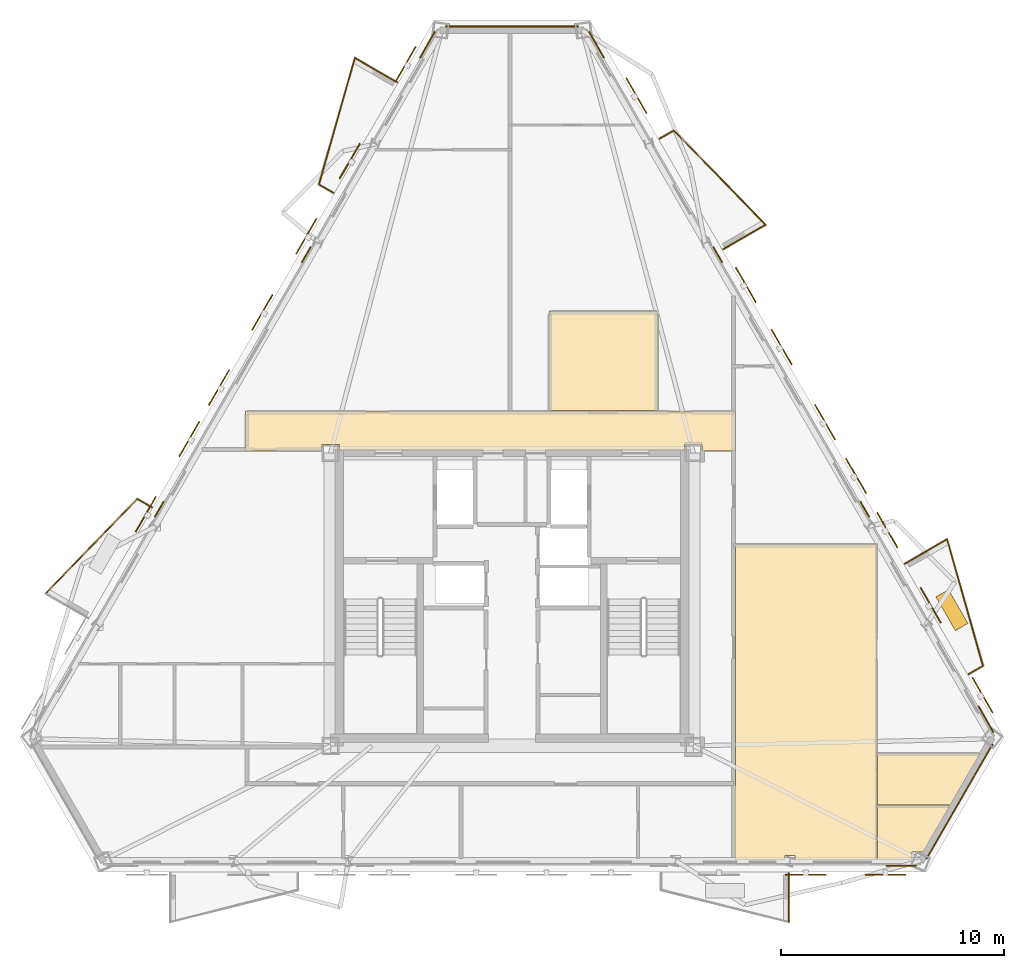
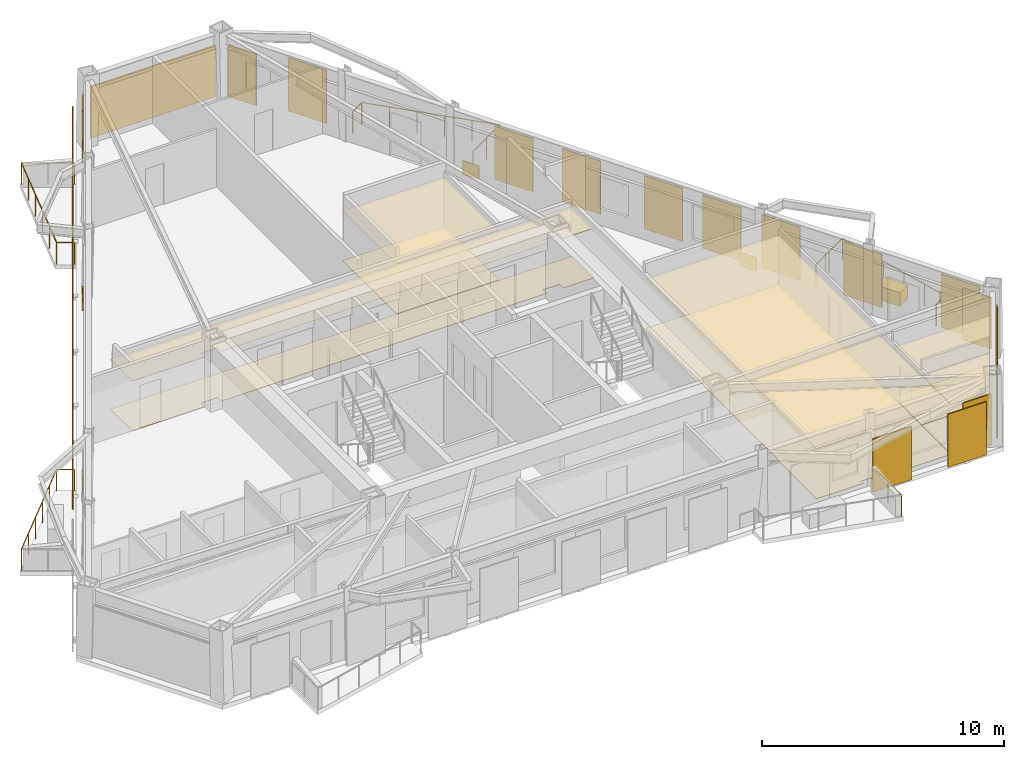
# One storey, part 9 of 9: 21 coverings, 17 shading devices, 12 railings.
"""IFC4 building model written with IfcOpenShell, lengths in metres."""

from ifc_helpers import new_model, si_unit, direction, frame, origin, origin_2d, place, context, subcontext, project, spatial, polyline, rectangle, circle, outline, extrude, material, layer, layer_set, type_object, element, save


model = new_model("IFC4")

# Units and contexts
model_context = context("Model", 3, precision=1e-05, world=origin(), true_north=direction((0.0, 1.0)))
body_context = subcontext(model_context, "Body", "Model", "MODEL_VIEW")
ifc_project = project(units=[si_unit("LENGTHUNIT", "METRE"), si_unit("AREAUNIT", "SQUARE_METRE"), si_unit("VOLUMEUNIT", "CUBIC_METRE"), si_unit("PLANEANGLEUNIT", "RADIAN"), si_unit("MASSUNIT", "GRAM", prefix="KILO")], contexts=[model_context])

# Site, building, storey
site_placement = place(None, origin())
site = spatial("IfcSite", under=ifc_project, at=site_placement, CompositionType="ELEMENT")
building_placement = place(site_placement, origin())
building = spatial("IfcBuilding", under=site, at=building_placement, Name="Oramaril Tower", CompositionType="ELEMENT")
storey_placement = place(building_placement, frame((0.0, 0.0, 223.5)))
storey = spatial("IfcBuildingStorey", under=building, at=storey_placement, Name="L59", CompositionType="ELEMENT", Elevation=223.5)

# Coverings
ifc_material_1 = material(Name="Mineral Fibre Acoustic Ceiling")
ifc_layer_1 = layer(ifc_material_1, 0.02001953125)
ifc_layer_set_1 = layer_set([ifc_layer_1], Name="CVT-CEIL")
covering_type_1 = type_object("IfcCoveringType", Name="CVT-CEIL", PredefinedType="CEILING", material=ifc_layer_set_1)
covering_1_placement = place(storey_placement, frame((0.0, 0.0, 2.511962890625)))
element("IfcCovering", 1, at=covering_1_placement, inside=storey, type_object=covering_type_1, Name="L59 Acoustic Suspended Ceiling 2", PredefinedType="CEILING", context=body_context, shape_type="SweptSolid", body=[
    extrude(outline(polyline([(47.530029296875, 24.239990234375), (46.044921875, 24.239990234375), (46.044921875, 24.544921875), (45.2548828125, 24.544921875), (45.2548828125, 24.25), (29.7451171875, 24.25), (29.7451171875, 24.544921875), (28.955078125, 24.544921875), (28.955078125, 24.239990234375), (25.52001953125, 24.239990234375), (25.52001953125, 26.050048828125), (47.530029296875, 26.050048828125), (47.530029296875, 24.239990234375)])), origin(), (0.0, 0.0, 1.0), 0.02001953125),
])
covering_2_placement = place(storey_placement, frame((0.0, 0.0, 2.511962890625)))
element("IfcCovering", 2, at=covering_2_placement, inside=storey, type_object=covering_type_1, Name="L59 Acoustic Suspended Ceiling 4", PredefinedType="CEILING", context=body_context, shape_type="SweptSolid", body=[
    extrude(outline(polyline([(44.0419921875, 30.511962890625), (44.0419921875, 26.070068359375), (39.157958984375, 26.070068359375), (39.157958984375, 30.511962890625), (44.0419921875, 30.511962890625)])), origin(), (0.0, 0.0, 1.0), 0.02001953125),
])
covering_3_placement = place(storey_placement, frame((0.0, 0.0, 2.511962890625)))
element("IfcCovering", 3, at=covering_3_placement, inside=storey, type_object=covering_type_1, Name="L59 Acoustic Suspended Ceiling 14", PredefinedType="CEILING", context=body_context, shape_type="SweptSolid", body=[
    extrude(outline(polyline([(53.902099609375, 20.0419921875), (53.902099609375, 5.89208984375), (50.211669921875, 5.89208984375), (50.211669921875, 6.06884765625), (49.75439453125, 6.06884765625), (49.75439453125, 5.89208984375), (47.511962890625, 5.89208984375), (47.511962890625, 9.199951171875), (47.530029296875, 9.199951171875), (47.531982421875, 9.2001953125), (47.533935546875, 9.200439453125), (47.535888671875, 9.200927734375), (47.53759765625, 9.201416015625), (47.539306640625, 9.202392578125), (47.541015625, 9.203369140625), (47.542724609375, 9.20458984375), (47.544189453125, 9.205810546875), (47.54541015625, 9.207275390625), (47.546630859375, 9.208984375), (47.547607421875, 9.210693359375), (47.548583984375, 9.21240234375), (47.549072265625, 9.214111328125), (47.549560546875, 9.216064453125), (47.5498046875, 9.218017578125), (47.550048828125, 9.219970703125), (47.550048828125, 11.030029296875), (47.5498046875, 11.031982421875), (47.549560546875, 11.033935546875), (47.549072265625, 11.035888671875), (47.548583984375, 11.03759765625), (47.547607421875, 11.039306640625), (47.54736328125, 11.0400390625), (47.547607421875, 11.04052734375), (47.548583984375, 11.042236328125), (47.549072265625, 11.044189453125), (47.549560546875, 11.046142578125), (47.5498046875, 11.048095703125), (47.550048828125, 11.050048828125), (47.550048828125, 20.0419921875), (53.902099609375, 20.0419921875)])), origin(), (0.0, 0.0, 1.0), 0.02001953125),
])
covering_4_placement = place(storey_placement, frame((0.0, 0.0, 2.511962890625)))
element("IfcCovering", 4, at=covering_4_placement, inside=storey, type_object=covering_type_1, Name="L59 Acoustic Suspended Ceiling 15", PredefinedType="CEILING", context=body_context, shape_type="SweptSolid", body=[
    extrude(outline(polyline([(55.970703125, 6.21923828125), (55.47412109375, 6.21923828125), (55.47412109375, 5.89208984375), (53.922119140625, 5.89208984375), (53.922119140625, 8.31298828125), (57.179443359375, 8.31298828125), (55.970703125, 6.21923828125)])), origin(), (0.0, 0.0, 1.0), 0.02001953125),
])
covering_5_placement = place(storey_placement, frame((0.0, 0.0, 2.511962890625)))
element("IfcCovering", 5, at=covering_5_placement, inside=storey, type_object=covering_type_1, Name="L59 Acoustic Suspended Ceiling 16", PredefinedType="CEILING", context=body_context, shape_type="SweptSolid", body=[
    extrude(outline(polyline([(57.189453125, 8.330322265625), (57.18896484375, 8.330810546875), (57.187255859375, 8.33154296875), (57.185302734375, 8.332275390625), (57.183349609375, 8.332763671875), (57.181396484375, 8.3330078125), (57.179443359375, 8.3330078125), (53.922119140625, 8.3330078125), (53.922119140625, 10.66650390625), (58.5380859375, 10.66650390625), (57.189453125, 8.330322265625)])), origin(), (0.0, 0.0, 1.0), 0.02001953125),
])
ifc_material_2 = material(Name="Warm Cream Limestone", Category="masonry")
ifc_layer_2 = layer(ifc_material_2, 0.050048828125)
ifc_layer_set_2 = layer_set([ifc_layer_2], Name="CVT-CLD")
covering_type_2 = type_object("IfcCoveringType", Name="CVT-CLD", PredefinedType="CLADDING", material=ifc_layer_set_2)
covering_6_placement = place(storey_placement, frame((54.993896484375, 5.615966796875, 0.0400390625), z_axis=(0.0, 0.0, 1.0), x_axis=(1.0, 0.0, 0.0)))
element("IfcCovering", 6, at=covering_6_placement, inside=storey, type_object=covering_type_2, Name="L59 Warm Cream Limestone Cladding", PredefinedType="CLADDING", context=body_context, shape_type="SweptSolid", body=[
    extrude(rectangle(XDim=1.35009765625, YDim=0.050048828125, at=origin_2d()), origin(), (0.0, 0.0, 1.0), 2.596923828125),
])
covering_7_placement = place(storey_placement, frame((57.6025390625, 8.493896484375, 0.0400390625), z_axis=(0.0, 0.0, 1.0), x_axis=(0.5, 0.866025403784, 0.0)))
element("IfcCovering", 7, at=covering_7_placement, inside=storey, type_object=covering_type_2, Name="L59 Warm Cream Limestone Cladding", PredefinedType="CLADDING", context=body_context, shape_type="SweptSolid", body=[
    extrude(rectangle(XDim=5.951904296875, YDim=0.050048828125, at=origin_2d()), origin(), (0.0, 0.0, 1.0), 2.596923828125),
])
for number, where, z_axis, x_axis, name in (
    (8, (58.79052734375, 12.191650390625, 0.0400390625), (0.0, 0.0, 1.0), (-0.5, 0.866025403784, 0.0), "L59 Warm Cream Limestone Cladding"),
    (9, (41.29638671875, 42.4921875, 0.0400390625), (0.0, 0.0, 1.0), (-0.5, 0.866025403784, 0.0), "L59 Warm Cream Limestone Cladding"),
):
    element("IfcCovering", number, at=place(storey_placement, frame(where, z_axis=z_axis, x_axis=x_axis)), inside=storey, type_object=covering_type_2, Name=name, PredefinedType="CLADDING", context=body_context, shape_type="SweptSolid", body=[
        extrude(rectangle(XDim=1.35009765625, YDim=0.050048828125, at=origin_2d()), origin(), (0.0, 0.0, 1.0), 2.596923828125),
    ])
for number, where, z_axis, x_axis, name in (
    (10, (53.345458984375, 21.622802734375, 0.0400390625), (0.0, 0.0, 1.0), (-0.5, 0.866025403784, 0.0), "L59 Warm Cream Limestone Spandrel Cladding"),
    (11, (46.74169921875, 33.06103515625, 0.0400390625), (0.0, 0.0, 1.0), (-0.5, 0.866025403784, 0.0), "L59 Warm Cream Limestone Spandrel Cladding"),
):
    element("IfcCovering", number, at=place(storey_placement, frame(where, z_axis=z_axis, x_axis=x_axis)), inside=storey, type_object=covering_type_2, Name=name, PredefinedType="CLADDING", context=body_context, shape_type="SweptSolid", body=[
        extrude(rectangle(XDim=0.800048828125, YDim=0.050048828125, at=origin_2d()), origin(), (0.0, 0.0, 1.0), 0.679931640625),
    ])
covering_8_placement = place(storey_placement, frame((37.5, 43.3125, 0.0400390625), z_axis=(0.0, 0.0, 1.0), x_axis=(-1.0, 0.0, 0.0)))
element("IfcCovering", 12, at=covering_8_placement, inside=storey, type_object=covering_type_2, Name="L59 Warm Cream Limestone Cladding", PredefinedType="CLADDING", context=body_context, shape_type="SweptSolid", body=[
    extrude(rectangle(XDim=5.951904296875, YDim=0.050048828125, at=origin_2d()), origin(), (0.0, 0.0, 1.0), 2.596923828125),
])
covering_9_placement = place(storey_placement, frame((33.70361328125, 42.4921875, 0.0400390625), z_axis=(0.0, 0.0, 1.0), x_axis=(-0.5, -0.866025403784, 0.0)))
element("IfcCovering", 13, at=covering_9_placement, inside=storey, type_object=covering_type_2, Name="L59 Warm Cream Limestone Cladding", PredefinedType="CLADDING", context=body_context, shape_type="SweptSolid", body=[
    extrude(rectangle(XDim=1.35009765625, YDim=0.050048828125, at=origin_2d()), origin(), (0.0, 0.0, 1.0), 2.596923828125),
])
for number, where, z_axis, x_axis, name in (
    (14, (28.25830078125, 33.06103515625, 0.0400390625), (0.0, 0.0, 1.0), (-0.5, -0.866025403784, 0.0), "L59 Warm Cream Limestone Spandrel Cladding"),
    (15, (21.654541015625, 21.622802734375, 0.0400390625), (0.0, 0.0, 1.0), (-0.5, -0.866025403784, 0.0), "L59 Warm Cream Limestone Spandrel Cladding"),
):
    element("IfcCovering", number, at=place(storey_placement, frame(where, z_axis=z_axis, x_axis=x_axis)), inside=storey, type_object=covering_type_2, Name=name, PredefinedType="CLADDING", context=body_context, shape_type="SweptSolid", body=[
        extrude(rectangle(XDim=0.800048828125, YDim=0.050048828125, at=origin_2d()), origin(), (0.0, 0.0, 1.0), 0.679931640625),
    ])
covering_10_placement = place(storey_placement, frame((57.26318359375, 17.09423828125, 0.0), z_axis=(0.0, 0.0, 1.0), x_axis=(-0.5, 0.866025403784, 0.0)))
element("IfcCovering", 16, at=covering_10_placement, inside=storey, type_object=covering_type_2, Name="L59 Structural Tree Planter Box L59-BAL-NE1", PredefinedType="CLADDING", context=body_context, shape_type="SweptSolid", body=[
    extrude(rectangle(XDim=1.75, YDim=0.64990234375, at=origin_2d()), origin(), (0.0, 0.0, 1.0), 0.699951171875),
])
ifc_material_3 = material(Name="Honed Quartzite Stone Flooring", Category="masonry")
ifc_layer_3 = layer(ifc_material_3, 0.02490234375)
ifc_layer_set_3 = layer_set([ifc_layer_3], Name="CVT-FLR")
covering_type_3 = type_object("IfcCoveringType", Name="CVT-FLR", PredefinedType="FLOORING", material=ifc_layer_set_3)
covering_11_placement = place(storey_placement, origin())
element("IfcCovering", 17, at=covering_11_placement, inside=storey, type_object=covering_type_3, Name="L59 Honed Stone Floor Finish 2", PredefinedType="FLOORING", context=body_context, shape_type="SweptSolid", body=[
    extrude(outline(polyline([(47.530029296875, 24.239990234375), (46.044921875, 24.239990234375), (46.044921875, 24.544921875), (45.2548828125, 24.544921875), (45.2548828125, 24.25), (29.7451171875, 24.25), (29.7451171875, 24.544921875), (28.955078125, 24.544921875), (28.955078125, 24.239990234375), (25.52001953125, 24.239990234375), (25.52001953125, 26.050048828125), (47.530029296875, 26.050048828125), (47.530029296875, 24.239990234375)])), origin(), (0.0, 0.0, 1.0), 0.02490234375),
])
covering_12_placement = place(storey_placement, origin())
element("IfcCovering", 18, at=covering_12_placement, inside=storey, type_object=covering_type_3, Name="L59 Honed Stone Floor Finish 4", PredefinedType="FLOORING", context=body_context, shape_type="SweptSolid", body=[
    extrude(outline(polyline([(44.0419921875, 30.511962890625), (44.0419921875, 26.070068359375), (39.157958984375, 26.070068359375), (39.157958984375, 30.511962890625), (44.0419921875, 30.511962890625)])), origin(), (0.0, 0.0, 1.0), 0.02490234375),
])
covering_13_placement = place(storey_placement, origin())
element("IfcCovering", 19, at=covering_13_placement, inside=storey, type_object=covering_type_3, Name="L59 Honed Stone Floor Finish 14", PredefinedType="FLOORING", context=body_context, shape_type="SweptSolid", body=[
    extrude(outline(polyline([(53.902099609375, 20.0419921875), (53.902099609375, 5.89208984375), (50.211669921875, 5.89208984375), (50.211669921875, 6.06884765625), (49.75439453125, 6.06884765625), (49.75439453125, 5.89208984375), (47.511962890625, 5.89208984375), (47.511962890625, 9.199951171875), (47.530029296875, 9.199951171875), (47.531982421875, 9.2001953125), (47.533935546875, 9.200439453125), (47.535888671875, 9.200927734375), (47.53759765625, 9.201416015625), (47.539306640625, 9.202392578125), (47.541015625, 9.203369140625), (47.542724609375, 9.20458984375), (47.544189453125, 9.205810546875), (47.54541015625, 9.207275390625), (47.546630859375, 9.208984375), (47.547607421875, 9.210693359375), (47.548583984375, 9.21240234375), (47.549072265625, 9.214111328125), (47.549560546875, 9.216064453125), (47.5498046875, 9.218017578125), (47.550048828125, 9.219970703125), (47.550048828125, 11.030029296875), (47.5498046875, 11.031982421875), (47.549560546875, 11.033935546875), (47.549072265625, 11.035888671875), (47.548583984375, 11.03759765625), (47.547607421875, 11.039306640625), (47.54736328125, 11.0400390625), (47.547607421875, 11.04052734375), (47.548583984375, 11.042236328125), (47.549072265625, 11.044189453125), (47.549560546875, 11.046142578125), (47.5498046875, 11.048095703125), (47.550048828125, 11.050048828125), (47.550048828125, 20.0419921875), (53.902099609375, 20.0419921875)])), origin(), (0.0, 0.0, 1.0), 0.02490234375),
])
covering_14_placement = place(storey_placement, origin())
element("IfcCovering", 20, at=covering_14_placement, inside=storey, type_object=covering_type_3, Name="L59 Honed Stone Floor Finish 15", PredefinedType="FLOORING", context=body_context, shape_type="SweptSolid", body=[
    extrude(outline(polyline([(55.970703125, 6.21923828125), (55.47412109375, 6.21923828125), (55.47412109375, 5.89208984375), (53.922119140625, 5.89208984375), (53.922119140625, 8.31298828125), (57.179443359375, 8.31298828125), (55.970703125, 6.21923828125)])), origin(), (0.0, 0.0, 1.0), 0.02490234375),
])
covering_15_placement = place(storey_placement, origin())
element("IfcCovering", 21, at=covering_15_placement, inside=storey, type_object=covering_type_3, Name="L59 Honed Stone Floor Finish 16", PredefinedType="FLOORING", context=body_context, shape_type="SweptSolid", body=[
    extrude(outline(polyline([(57.189453125, 8.330322265625), (57.18896484375, 8.330810546875), (57.187255859375, 8.33154296875), (57.185302734375, 8.332275390625), (57.183349609375, 8.332763671875), (57.181396484375, 8.3330078125), (57.179443359375, 8.3330078125), (53.922119140625, 8.3330078125), (53.922119140625, 10.66650390625), (58.5380859375, 10.66650390625), (57.189453125, 8.330322265625)])), origin(), (0.0, 0.0, 1.0), 0.02490234375),
])

# Railings
ifc_material_4 = material(Name="Stainless Steel 316L", Category="steel")
railing_type = type_object("IfcRailingType", Name="RLT-GRD", PredefinedType="GUARDRAIL", material=ifc_material_4)
railing_1_placement = place(storey_placement, frame((49.924560546875, 5.27587890625, 0.0)))
element("IfcRailing", 22, at=railing_1_placement, inside=storey, type_object=railing_type, Name="L59 Balcony Guardrail L59-BAL-S2.1", PredefinedType="GUARDRAIL", context=body_context, shape_type="SweptSolid", body=[
    extrude(circle(Radius=0.02392578125, at=origin_2d()), frame((0.0, 0.0, 1.076171875), z_axis=(0.0, -1.0, 0.0), x_axis=(1.0, 0.0, 0.0)), (0.0, 0.0, 1.0), 2.19189453125),
    extrude(circle(Radius=0.02099609375, at=origin_2d()), origin(), (0.0, 0.0, 1.0), 1.052001953125),
    extrude(circle(Radius=0.02099609375, at=origin_2d()), frame((0.0, -1.095947265625, 0.0)), (0.0, 0.0, 1.0), 1.052001953125),
    extrude(circle(Radius=0.02099609375, at=origin_2d()), frame((0.0, -2.19189453125, 0.0)), (0.0, 0.0, 1.0), 1.052001953125),
])
railing_2_placement = place(storey_placement, frame((55.147705078125, 19.18115234375, 0.0)))
element("IfcRailing", 23, at=railing_2_placement, inside=storey, type_object=railing_type, Name="L59 Balcony Guardrail L59-BAL-NE1.1", PredefinedType="GUARDRAIL", context=body_context, shape_type="SweptSolid", body=[
    extrude(circle(Radius=0.02392578125, at=origin_2d()), frame((0.0, 0.0, 1.076171875), z_axis=(0.866048343933, 0.499960264392, 0.0), x_axis=(-0.499960264392, 0.866048343933, 0.0)), (0.0, 0.0, 1.0), 2.192138671875),
    extrude(circle(Radius=0.02099609375, at=origin_2d()), origin(), (0.0, 0.0, 1.0), 1.052001953125),
    extrude(circle(Radius=0.02099609375, at=origin_2d()), frame((0.94921875, 0.5478515625, 0.0)), (0.0, 0.0, 1.0), 1.052001953125),
    extrude(circle(Radius=0.02099609375, at=origin_2d()), frame((1.8984375, 1.095947265625, 0.0)), (0.0, 0.0, 1.0), 1.052001953125),
])
railing_3_placement = place(storey_placement, frame((57.046142578125, 20.277099609375, 0.0)))
element("IfcRailing", 24, at=railing_3_placement, inside=storey, type_object=railing_type, Name="L59 Balcony Guardrail L59-BAL-NE1.2", PredefinedType="GUARDRAIL", context=body_context, shape_type="SweptSolid", body=[
    extrude(circle(Radius=0.02392578125, at=origin_2d()), frame((0.0, 0.0, 1.076171875), z_axis=(0.27224886544, -0.962226873074, 0.0), x_axis=(0.962226873074, 0.27224886544, 0.0)), (0.0, 0.0, 1.0), 5.910400390625),
    extrude(circle(Radius=0.02099609375, at=origin_2d()), origin(), (0.0, 0.0, 1.0), 1.052001953125),
    extrude(circle(Radius=0.02099609375, at=origin_2d()), frame((0.32177734375, -1.137451171875, 0.0)), (0.0, 0.0, 1.0), 1.052001953125),
    extrude(circle(Radius=0.02099609375, at=origin_2d()), frame((0.6435546875, -2.27490234375, 0.0)), (0.0, 0.0, 1.0), 1.052001953125),
    extrude(circle(Radius=0.02099609375, at=origin_2d()), frame((0.965576171875, -3.412353515625, 0.0)), (0.0, 0.0, 1.0), 1.052001953125),
    extrude(circle(Radius=0.02099609375, at=origin_2d()), frame((1.287353515625, -4.5498046875, 0.0)), (0.0, 0.0, 1.0), 1.052001953125),
    extrude(circle(Radius=0.02099609375, at=origin_2d()), frame((1.609130859375, -5.687255859375, 0.0)), (0.0, 0.0, 1.0), 1.052001953125),
])
railing_4_placement = place(storey_placement, frame((58.6552734375, 14.58984375, 0.0)))
element("IfcRailing", 25, at=railing_4_placement, inside=storey, type_object=railing_type, Name="L59 Balcony Guardrail L59-BAL-NE1.3", PredefinedType="GUARDRAIL", context=body_context, shape_type="SweptSolid", body=[
    extrude(circle(Radius=0.02392578125, at=origin_2d()), frame((0.0, 0.0, 1.076171875), z_axis=(-0.866108878364, -0.499855389907, 0.0), x_axis=(0.499855389907, -0.866108878364, 0.0)), (0.0, 0.0, 1.0), 0.741943359375),
    extrude(circle(Radius=0.02099609375, at=origin_2d()), origin(), (0.0, 0.0, 1.0), 1.052001953125),
    extrude(circle(Radius=0.02099609375, at=origin_2d()), frame((-0.642578125, -0.370849609375, 0.0)), (0.0, 0.0, 1.0), 1.052001953125),
])
railing_5_placement = place(storey_placement, frame((44.125732421875, 38.27197265625, 0.0)))
element("IfcRailing", 26, at=railing_5_placement, inside=storey, type_object=railing_type, Name="L59 Balcony Guardrail L59-BAL-NE2.1", PredefinedType="GUARDRAIL", context=body_context, shape_type="SweptSolid", body=[
    extrude(circle(Radius=0.02392578125, at=origin_2d()), frame((0.0, 0.0, 1.076171875), z_axis=(0.865966403178, 0.500102178127, 0.0), x_axis=(-0.500102178127, 0.865966403178, 0.0)), (0.0, 0.0, 1.0), 0.741943359375),
    extrude(circle(Radius=0.02099609375, at=origin_2d()), origin(), (0.0, 0.0, 1.0), 1.052001953125),
    extrude(circle(Radius=0.02099609375, at=origin_2d()), frame((0.642578125, 0.37109375, 0.0)), (0.0, 0.0, 1.0), 1.052001953125),
])
railing_6_placement = place(storey_placement, frame((44.768310546875, 38.64306640625, 0.0)))
element("IfcRailing", 27, at=railing_6_placement, inside=storey, type_object=railing_type, Name="L59 Balcony Guardrail L59-BAL-NE2.2", PredefinedType="GUARDRAIL", context=body_context, shape_type="SweptSolid", body=[
    extrude(circle(Radius=0.02392578125, at=origin_2d()), frame((0.0, 0.0, 1.076171875), z_axis=(0.697165686546, -0.716910040034, 0.0), x_axis=(0.716910040034, 0.697165686546, 0.0)), (0.0, 0.0, 1.0), 5.910400390625),
    extrude(circle(Radius=0.02099609375, at=origin_2d()), origin(), (0.0, 0.0, 1.0), 1.052001953125),
    extrude(circle(Radius=0.02099609375, at=origin_2d()), frame((0.82421875, -0.847412109375, 0.0)), (0.0, 0.0, 1.0), 1.052001953125),
    extrude(circle(Radius=0.02099609375, at=origin_2d()), frame((1.648193359375, -1.69482421875, 0.0)), (0.0, 0.0, 1.0), 1.052001953125),
    extrude(circle(Radius=0.02099609375, at=origin_2d()), frame((2.472412109375, -2.54248046875, 0.0)), (0.0, 0.0, 1.0), 1.052001953125),
    extrude(circle(Radius=0.02099609375, at=origin_2d()), frame((3.29638671875, -3.389892578125, 0.0)), (0.0, 0.0, 1.0), 1.052001953125),
    extrude(circle(Radius=0.02099609375, at=origin_2d()), frame((4.12060546875, -4.2373046875, 0.0)), (0.0, 0.0, 1.0), 1.052001953125),
])
railing_7_placement = place(storey_placement, frame((48.888916015625, 34.40576171875, 0.0)))
element("IfcRailing", 28, at=railing_7_placement, inside=storey, type_object=railing_type, Name="L59 Balcony Guardrail L59-BAL-NE2.3", PredefinedType="GUARDRAIL", context=body_context, shape_type="SweptSolid", body=[
    extrude(circle(Radius=0.02392578125, at=origin_2d()), frame((0.0, 0.0, 1.076171875), z_axis=(-0.866020500697, -0.5000084923, 0.0), x_axis=(0.5000084923, -0.866020500697, 0.0)), (0.0, 0.0, 1.0), 2.19189453125),
    extrude(circle(Radius=0.02099609375, at=origin_2d()), origin(), (0.0, 0.0, 1.0), 1.052001953125),
    extrude(circle(Radius=0.02099609375, at=origin_2d()), frame((-0.94921875, -0.5478515625, 0.0)), (0.0, 0.0, 1.0), 1.052001953125),
    extrude(circle(Radius=0.02099609375, at=origin_2d()), frame((-1.898193359375, -1.095947265625, 0.0)), (0.0, 0.0, 1.0), 1.052001953125),
])
railing_8_placement = place(storey_placement, frame((29.4716796875, 35.843017578125, 0.0)))
element("IfcRailing", 29, at=railing_8_placement, inside=storey, type_object=railing_type, Name="L59 Balcony Guardrail L59-BAL-NW1.1", PredefinedType="GUARDRAIL", context=body_context, shape_type="SweptSolid", body=[
    extrude(circle(Radius=0.02392578125, at=origin_2d()), frame((0.0, 0.0, 1.076171875), z_axis=(-0.866026623601, 0.49999788721, 0.0), x_axis=(-0.49999788721, -0.866026623601, 0.0)), (0.0, 0.0, 1.0), 0.74169921875),
    extrude(circle(Radius=0.02099609375, at=origin_2d()), origin(), (0.0, 0.0, 1.0), 1.052001953125),
    extrude(circle(Radius=0.02099609375, at=origin_2d()), frame((-0.642333984375, 0.370849609375, 0.0)), (0.0, 0.0, 1.0), 1.052001953125),
])
railing_9_placement = place(storey_placement, frame((28.829345703125, 36.2138671875, 0.0)))
element("IfcRailing", 30, at=railing_9_placement, inside=storey, type_object=railing_type, Name="L59 Balcony Guardrail L59-BAL-NW1.2", PredefinedType="GUARDRAIL", context=body_context, shape_type="SweptSolid", body=[
    extrude(circle(Radius=0.02392578125, at=origin_2d()), frame((0.0, 0.0, 1.076171875), z_axis=(0.27224886544, 0.962226873074, 0.0), x_axis=(-0.962226873074, 0.27224886544, 0.0)), (0.0, 0.0, 1.0), 5.910400390625),
    extrude(circle(Radius=0.02099609375, at=origin_2d()), origin(), (0.0, 0.0, 1.0), 1.052001953125),
    extrude(circle(Radius=0.02099609375, at=origin_2d()), frame((0.32177734375, 1.137451171875, 0.0)), (0.0, 0.0, 1.0), 1.052001953125),
    extrude(circle(Radius=0.02099609375, at=origin_2d()), frame((0.6435546875, 2.27490234375, 0.0)), (0.0, 0.0, 1.0), 1.052001953125),
    extrude(circle(Radius=0.02099609375, at=origin_2d()), frame((0.965576171875, 3.412353515625, 0.0)), (0.0, 0.0, 1.0), 1.052001953125),
    extrude(circle(Radius=0.02099609375, at=origin_2d()), frame((1.287353515625, 4.5498046875, 0.0)), (0.0, 0.0, 1.0), 1.052001953125),
    extrude(circle(Radius=0.02099609375, at=origin_2d()), frame((1.609130859375, 5.687255859375, 0.0)), (0.0, 0.0, 1.0), 1.052001953125),
])
railing_10_placement = place(storey_placement, frame((30.4384765625, 41.901123046875, 0.0)))
element("IfcRailing", 31, at=railing_10_placement, inside=storey, type_object=railing_type, Name="L59 Balcony Guardrail L59-BAL-NW1.3", PredefinedType="GUARDRAIL", context=body_context, shape_type="SweptSolid", body=[
    extrude(circle(Radius=0.02392578125, at=origin_2d()), frame((0.0, 0.0, 1.076171875), z_axis=(0.866048343933, -0.499960264392, 0.0), x_axis=(0.499960264392, 0.866048343933, 0.0)), (0.0, 0.0, 1.0), 2.192138671875),
    extrude(circle(Radius=0.02099609375, at=origin_2d()), origin(), (0.0, 0.0, 1.0), 1.052001953125),
    extrude(circle(Radius=0.02099609375, at=origin_2d()), frame((0.94921875, -0.5478515625, 0.0)), (0.0, 0.0, 1.0), 1.052001953125),
    extrude(circle(Radius=0.02099609375, at=origin_2d()), frame((1.8984375, -1.095947265625, 0.0)), (0.0, 0.0, 1.0), 1.052001953125),
])
railing_11_placement = place(storey_placement, frame((16.551513671875, 17.847900390625, 0.0)))
element("IfcRailing", 32, at=railing_11_placement, inside=storey, type_object=railing_type, Name="L59 Balcony Guardrail L59-BAL-NW2.2", PredefinedType="GUARDRAIL", context=body_context, shape_type="SweptSolid", body=[
    extrude(circle(Radius=0.02392578125, at=origin_2d()), frame((0.0, 0.0, 1.076171875), z_axis=(0.697165686546, 0.716910040034, 0.0), x_axis=(-0.716910040034, 0.697165686546, 0.0)), (0.0, 0.0, 1.0), 5.910400390625),
    extrude(circle(Radius=0.02099609375, at=origin_2d()), origin(), (0.0, 0.0, 1.0), 1.052001953125),
    extrude(circle(Radius=0.02099609375, at=origin_2d()), frame((0.82421875, 0.847412109375, 0.0)), (0.0, 0.0, 1.0), 1.052001953125),
    extrude(circle(Radius=0.02099609375, at=origin_2d()), frame((1.648193359375, 1.69482421875, 0.0)), (0.0, 0.0, 1.0), 1.052001953125),
    extrude(circle(Radius=0.02099609375, at=origin_2d()), frame((2.472412109375, 2.54248046875, 0.0)), (0.0, 0.0, 1.0), 1.052001953125),
    extrude(circle(Radius=0.02099609375, at=origin_2d()), frame((3.29638671875, 3.389892578125, 0.0)), (0.0, 0.0, 1.0), 1.052001953125),
    extrude(circle(Radius=0.02099609375, at=origin_2d()), frame((4.12060546875, 4.2373046875, 0.0)), (0.0, 0.0, 1.0), 1.052001953125),
])
railing_12_placement = place(storey_placement, frame((20.672119140625, 22.085205078125, 0.0)))
element("IfcRailing", 33, at=railing_12_placement, inside=storey, type_object=railing_type, Name="L59 Balcony Guardrail L59-BAL-NW2.3", PredefinedType="GUARDRAIL", context=body_context, shape_type="SweptSolid", body=[
    extrude(circle(Radius=0.02392578125, at=origin_2d()), frame((0.0, 0.0, 1.076171875), z_axis=(0.866108878364, -0.499855389907, 0.0), x_axis=(0.499855389907, 0.866108878364, 0.0)), (0.0, 0.0, 1.0), 0.741943359375),
    extrude(circle(Radius=0.02099609375, at=origin_2d()), origin(), (0.0, 0.0, 1.0), 1.052001953125),
    extrude(circle(Radius=0.02099609375, at=origin_2d()), frame((0.642578125, -0.370849609375, 0.0)), (0.0, 0.0, 1.0), 1.052001953125),
])

# Shading devices
for number, where, z_axis, x_axis, name in (
    (34, (50.7001953125, 5.2041015625, -0.02001953125), (0.0, 0.0, 1.0), (1.0, 0.0, 0.0), "L59 Perforated Ceramic Solar Screen"),
    (35, (54.28076171875, 5.2041015625, -0.02001953125), (0.0, 0.0, 1.0), (1.0, 0.0, 0.0), "L59 Perforated Ceramic Solar Screen"),
    (36, (56.30859375, 17.314697265625, -0.02001953125), (0.0, 0.0, 1.0), (-0.5, 0.866025403784, 0.0), "L59 Perforated Ceramic Solar Screen"),
    (37, (54.3583984375, 20.692138671875, -0.02001953125), (0.0, 0.0, 1.0), (-0.5, 0.866025403784, 0.0), "L59 Perforated Ceramic Solar Screen"),
    (38, (58.639404296875, 13.27734375, -0.02001953125), (0.0, 0.0, 1.0), (-0.5, 0.866025403784, 0.0), "L59 Perforated Ceramic Solar Screen"),
    (39, (52.956298828125, 23.12060546875, -0.02001953125), (0.0, 0.0, 1.0), (-0.5, 0.866025403784, 0.0), "L59 Perforated Ceramic Solar Screen"),
    (40, (51.56298828125, 25.533935546875, -0.02001953125), (0.0, 0.0, 1.0), (-0.5, 0.866025403784, 0.0), "L59 Perforated Ceramic Solar Screen"),
    (41, (49.61328125, 28.911376953125, -0.02001953125), (0.0, 0.0, 1.0), (-0.5, 0.866025403784, 0.0), "L59 Perforated Ceramic Solar Screen"),
    (42, (48.00048828125, 31.704345703125, -0.02001953125), (0.0, 0.0, 1.0), (-0.5, 0.866025403784, 0.0), "L59 Perforated Ceramic Solar Screen"),
    (43, (43.09130859375, 40.207763671875, -0.02001953125), (0.0, 0.0, 1.0), (-0.5, 0.866025403784, 0.0), "L59 Perforated Ceramic Solar Screen"),
    (44, (23.00048828125, 24.77783203125, -0.02001953125), (0.0, 0.0, 1.0), (-0.5, -0.866025403784, 0.0), "L59 Perforated Ceramic Solar Screen"),
    (45, (21.05029296875, 21.400390625, -0.02001953125), (0.0, 0.0, 1.0), (-0.5, -0.866025403784, 0.0), "L59 Perforated Ceramic Solar Screen"),
    (46, (30.2119140625, 37.2685546875, -0.02001953125), (0.0, 0.0, 1.0), (-0.5, -0.866025403784, 0.0), "L59 Perforated Ceramic Solar Screen"),
    (47, (28.261962890625, 33.89111328125, -0.02001953125), (0.0, 0.0, 1.0), (-0.5, -0.866025403784, 0.0), "L59 Perforated Ceramic Solar Screen"),
    (48, (26.2861328125, 30.468994140625, -0.02001953125), (0.0, 0.0, 1.0), (-0.5, -0.866025403784, 0.0), "L59 Perforated Ceramic Solar Screen"),
    (49, (24.336181640625, 27.091552734375, -0.02001953125), (0.0, 0.0, 1.0), (-0.5, -0.866025403784, 0.0), "L59 Perforated Ceramic Solar Screen"),
    (50, (32.72216796875, 41.616455078125, -0.02001953125), (0.0, 0.0, 1.0), (-0.5, -0.866025403784, 0.0), "L59 Perforated Ceramic Solar Screen"),
):
    element("IfcShadingDevice", number, at=place(storey_placement, frame(where, z_axis=z_axis, x_axis=x_axis)), inside=storey, Name=name, ObjectType="SCREEN", PredefinedType="USERDEFINED", context=body_context, shape_type="SweptSolid", body=[
        extrude(rectangle(XDim=1.8330078125, YDim=0.050048828125, at=origin_2d()), origin(), (0.0, 0.0, 1.0), 2.677001953125),
    ])

save(model, "model.ifc")
